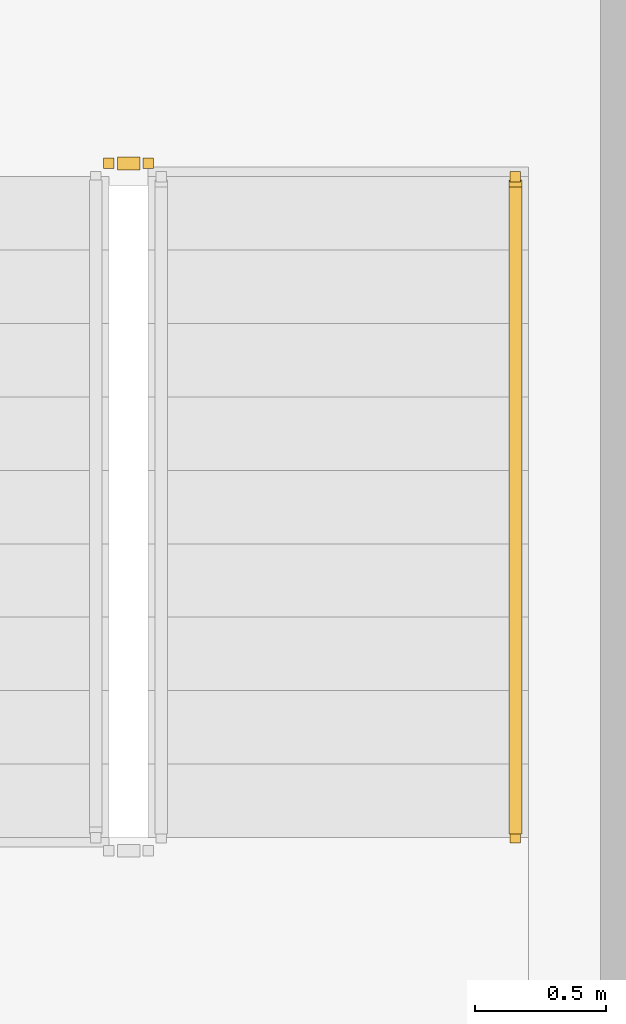
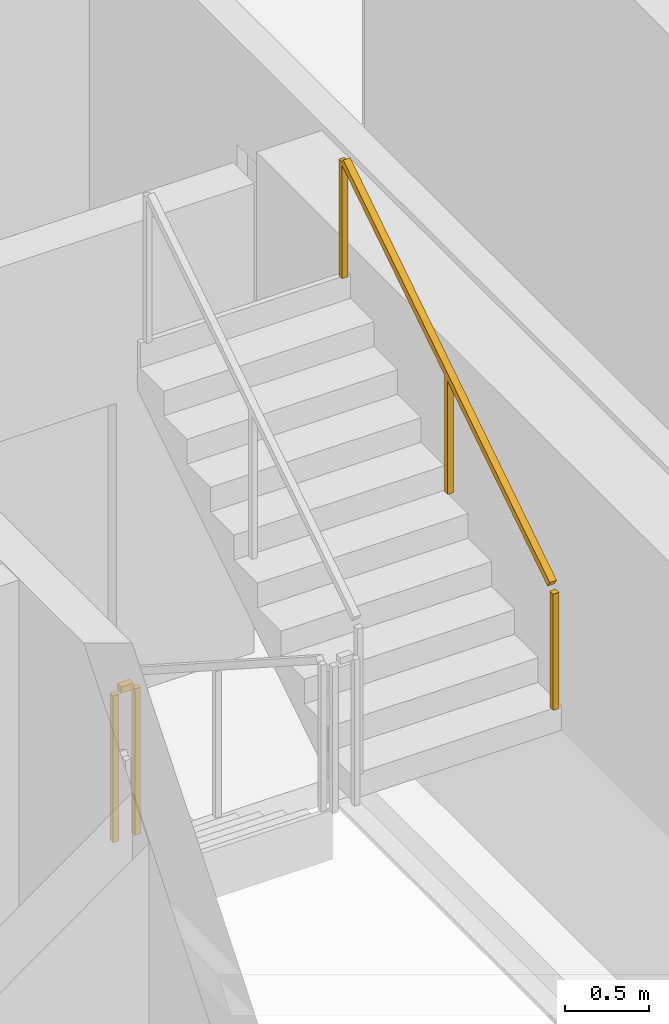
# One storey, part 14 of 14: 2 railings.
"""IFC4 building model written with IfcOpenShell, lengths in metres."""

from ifc_helpers import new_model, si_unit, direction, frame, origin, origin_2d, place, context, subcontext, project, spatial, rectangle, extrude, material, type_object, element, save


model = new_model("IFC4")

# Units and contexts
model_context = context("Model", 3, precision=1e-05, world=origin(), true_north=direction((0.0, 1.0)))
body_context = subcontext(model_context, "Body", "Model", "MODEL_VIEW")
ifc_project = project(units=[si_unit("LENGTHUNIT", "METRE"), si_unit("AREAUNIT", "SQUARE_METRE"), si_unit("VOLUMEUNIT", "CUBIC_METRE"), si_unit("PLANEANGLEUNIT", "RADIAN"), si_unit("MASSUNIT", "GRAM", prefix="KILO")], contexts=[model_context])

# Site, building, storey
site_placement = place(None, origin())
site = spatial("IfcSite", under=ifc_project, at=site_placement, CompositionType="ELEMENT")
building_placement = place(site_placement, origin())
building = spatial("IfcBuilding", under=site, at=building_placement, Name="Tharavind Bronze Gate", CompositionType="ELEMENT")
storey_placement = place(building_placement, frame((0.0, 0.0, 230.64990234375)))
storey = spatial("IfcBuildingStorey", under=building, at=storey_placement, Name="L59", CompositionType="ELEMENT", Elevation=230.64990234375)

# Railings
ifc_material = material(Name="Brushed Bronze Alloy", Category="metal")
railing_type_1 = type_object("IfcRailingType", Name="STAIR BRONZE HANDRAIL 900", PredefinedType="HANDRAIL", material=ifc_material)
railing_1_placement = place(storey_placement, frame((8.35009765625, -0.27001953125, 1.97998046875)))
element("IfcRailing", 1, at=railing_1_placement, inside=storey, type_object=railing_type_1, Name="L59 ST2 stair handrail 2", PredefinedType="HANDRAIL", context=body_context, shape_type="SweptSolid", body=[
    extrude(rectangle(XDim=0.048095703125, YDim=0.048095703125, at=origin_2d()), frame((0.0, 0.02685546875, 0.89306640625), z_axis=(0.0, 0.841162588446, 0.540782303519), x_axis=(-1.0, 0.0, 0.0)), (0.0, 0.0, 1.0), 2.931884765625),
    extrude(rectangle(XDim=0.0400390625, YDim=0.0400390625, at=origin_2d()), origin(), (0.0, 0.0, 1.0), 0.847900390625),
    extrude(rectangle(XDim=0.0400390625, YDim=0.0400390625, at=origin_2d()), frame((0.0, 1.260009765625, 0.81005859375)), (0.0, 0.0, 1.0), 0.847900390625),
    extrude(rectangle(XDim=0.0400390625, YDim=0.0400390625, at=origin_2d()), frame((0.0, 2.52001953125, 1.6201171875)), (0.0, 0.0, 1.0), 0.847900390625),
])
railing_type_2 = type_object("IfcRailingType", Name="STAIR WELL GUARD RAILING 1120", PredefinedType="GUARDRAIL", material=ifc_material)
railing_2_placement = place(storey_placement, frame((6.800048828125, 2.300048828125, 0.0)))
element("IfcRailing", 2, at=railing_2_placement, inside=storey, type_object=railing_type_2, Name="L59 ST2 stair guard 4", PredefinedType="GUARDRAIL", context=body_context, shape_type="SweptSolid", body=[
    extrude(rectangle(XDim=0.048095703125, YDim=0.048095703125, at=origin_2d()), frame((0.031982421875, 0.0, 1.09619140625), z_axis=(1.0, 0.0, 0.0), x_axis=(0.0, 1.0, 0.0)), (0.0, 0.0, 1.0), 0.0859375),
    extrude(rectangle(XDim=0.0400390625, YDim=0.0400390625, at=origin_2d()), origin(), (0.0, 0.0, 1.0), 1.068115234375),
    extrude(rectangle(XDim=0.0400390625, YDim=0.0400390625, at=origin_2d()), frame((0.14990234375, 0.0, 0.0)), (0.0, 0.0, 1.0), 1.068115234375),
])

save(model, "model.ifc")
